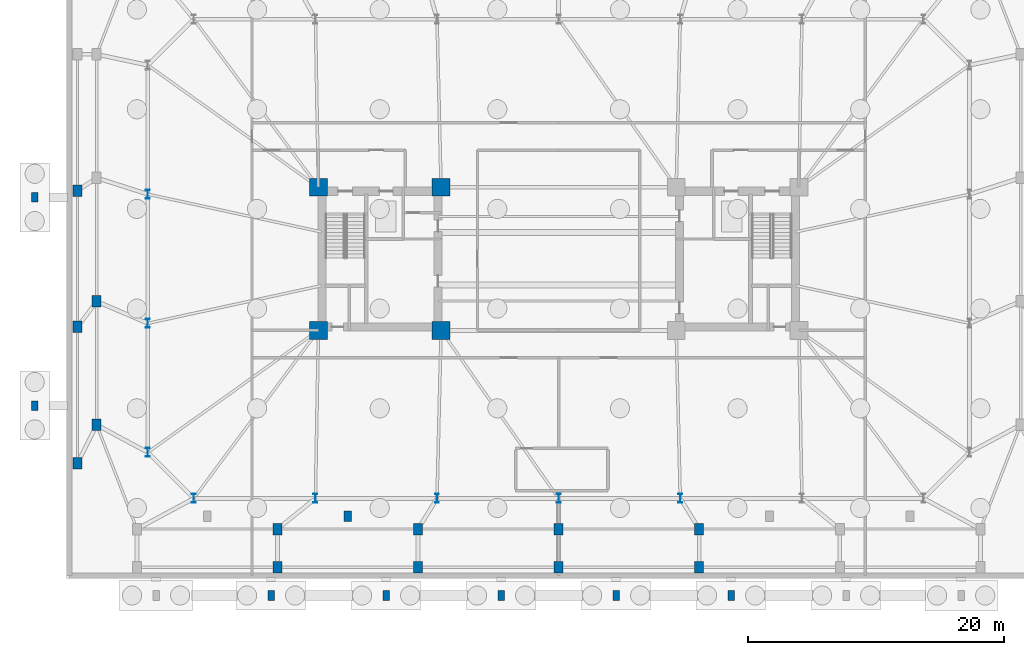
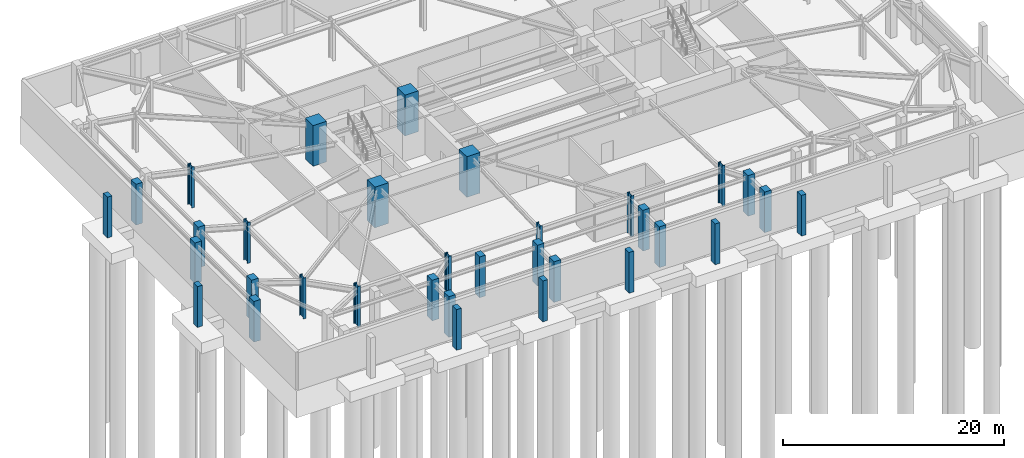
# One storey, part 2 of 15: 33 columns.
"""IFC4 building model written with IfcOpenShell, lengths in metres."""

from ifc_helpers import new_model, si_unit, direction, frame, origin, origin_2d, place, context, subcontext, project, spatial, rectangle, i_section, extrude, material, material_profile, profile_set, type_object, element, save


model = new_model("IFC4")

# Units and contexts
model_context = context("Model", 3, precision=1e-05, world=origin(), true_north=direction((0.0, 1.0)))
body_context = subcontext(model_context, "Body", "Model", "MODEL_VIEW")
ifc_project = project(units=[si_unit("LENGTHUNIT", "METRE"), si_unit("AREAUNIT", "SQUARE_METRE"), si_unit("VOLUMEUNIT", "CUBIC_METRE"), si_unit("PLANEANGLEUNIT", "RADIAN"), si_unit("MASSUNIT", "GRAM", prefix="KILO")], contexts=[model_context])

# Site, building, storey
site_placement = place(None, origin())
site = spatial("IfcSite", under=ifc_project, at=site_placement, CompositionType="ELEMENT")
building_placement = place(site_placement, origin())
building = spatial("IfcBuilding", under=site, at=building_placement, Name="Qobustan Lattice House", CompositionType="ELEMENT")
storey_placement = place(building_placement, frame((0.0, 0.0, -9.0)))
storey = spatial("IfcBuildingStorey", under=building, at=storey_placement, Name="B02", CompositionType="ELEMENT", Elevation=-9.0)

# Columns
ifc_material_1 = material(Name="Concrete C50/60", Category="concrete")
ifc_material_profile_1 = material_profile(ifc_material_1, rectangle(XDim=0.5, YDim=0.75, at=origin_2d()), Name="RC500x750")
ifc_profile_set_1 = profile_set([ifc_material_profile_1], Name="Concrete C50/60")
column_type_1 = type_object("IfcColumnType", Name="COL-PIER-500x750", PredefinedType="USERDEFINED", material=ifc_profile_set_1)
for number, where, z_axis, x_axis, name in (
    (1, (-41.0, -11.5, 0.0), (0.0, 0.0, 1.0), (1.0, 0.0, 0.0), "B02 arrival portico pier W1"),
    (2, (-41.0, 4.800048828125, 0.0), (0.0, 0.0, 1.0), (1.0, 0.0, 0.0), "B02 arrival portico pier W2"),
    (3, (-22.5, -26.35009765625, 0.0), (0.0, 0.0, 1.0), (1.0, 0.0, 0.0), "B02 entrance canopy pier PR-02"),
    (4, (-13.5, -26.35009765625, 0.0), (0.0, 0.0, 1.0), (1.0, 0.0, 0.0), "B02 entrance canopy pier PR-03"),
    (5, (-4.5, -26.35009765625, 0.0), (0.0, 0.0, 1.0), (1.0, 0.0, 0.0), "B02 entrance canopy pier PR-04"),
    (6, (4.5, -26.35009765625, 0.0), (0.0, 0.0, 1.0), (1.0, 0.0, 0.0), "B02 entrance canopy pier PR-05"),
    (7, (13.5, -26.35009765625, 0.0), (0.0, 0.0, 1.0), (1.0, 0.0, 0.0), "B02 entrance canopy pier PR-06"),
):
    element("IfcColumn", number, at=place(storey_placement, frame(where, z_axis=z_axis, x_axis=x_axis)), inside=storey, type_object=column_type_1, Name=name, ObjectType="PIER", PredefinedType="USERDEFINED", context=body_context, shape_type="SweptSolid", body=[
        extrude(rectangle(XDim=0.5, YDim=0.75, at=origin_2d()), origin(), (0.0, 0.0, 1.0), 4.5),
    ])
ifc_material_2 = material(Name="Concrete C50/60", Category="concrete")
ifc_material_profile_2 = material_profile(ifc_material_2, rectangle(XDim=0.60009765625, YDim=0.85009765625, at=origin_2d()), Name="RC600x850")
ifc_profile_set_2 = profile_set([ifc_material_profile_2], Name="Concrete C50/60")
column_type_2 = type_object("IfcColumnType", Name="COL-PIL-600x850", PredefinedType="PILASTER", material=ifc_profile_set_2)
column_placement = place(storey_placement, frame((-16.5, -20.14990234375, 0.0), z_axis=(0.0, 0.0, 1.0), x_axis=(1.0, 0.0, 0.0)))
element("IfcColumn", 8, at=column_placement, inside=storey, type_object=column_type_2, Name="B02 colonnade pilaster S2", PredefinedType="PILASTER", context=body_context, shape_type="SweptSolid", body=[
    extrude(rectangle(XDim=0.60009765625, YDim=0.85009765625, at=origin_2d()), origin(), (0.0, 0.0, 1.0), 4.5),
])
ifc_material_3 = material(Name="Concrete C60/75", Category="concrete")
ifc_material_profile_3 = material_profile(ifc_material_3, rectangle(XDim=1.39990234375, YDim=1.39990234375, at=origin_2d()), Name="RC1400x1400")
ifc_profile_set_3 = profile_set([ifc_material_profile_3], Name="Concrete C60/75")
column_type_3 = type_object("IfcColumnType", Name="COL-RC-1400", PredefinedType="COLUMN", material=ifc_profile_set_3)
for number, where, z_axis, x_axis, name in (
    (9, (-18.800048828125, -5.60009765625, 0.0), (0.0, 0.0, 1.0), (1.0, 0.0, 0.0), "B02 core mega-column CW-SW"),
    (10, (-18.800048828125, 5.60009765625, 0.0), (0.0, 0.0, 1.0), (1.0, 0.0, 0.0), "B02 core mega-column CW-NW"),
    (11, (-9.199951171875, -5.60009765625, 0.0), (0.0, 0.0, 1.0), (1.0, 0.0, 0.0), "B02 core mega-column CW-SE"),
    (12, (-9.199951171875, 5.60009765625, 0.0), (0.0, 0.0, 1.0), (1.0, 0.0, 0.0), "B02 core mega-column CW-NE"),
):
    element("IfcColumn", number, at=place(storey_placement, frame(where, z_axis=z_axis, x_axis=x_axis)), inside=storey, type_object=column_type_3, Name=name, PredefinedType="COLUMN", context=body_context, shape_type="SweptSolid", body=[
        extrude(rectangle(XDim=1.39990234375, YDim=1.39990234375, at=origin_2d()), origin(), (0.0, 0.0, 1.0), 4.5),
    ])
ifc_material_4 = material(Name="Concrete C50/60", Category="concrete")
ifc_material_profile_4 = material_profile(ifc_material_4, rectangle(XDim=0.699951171875, YDim=0.89990234375, at=origin_2d()), Name="RC700x900")
ifc_profile_set_4 = profile_set([ifc_material_profile_4], Name="Concrete C50/60")
column_type_4 = type_object("IfcColumnType", Name="COL-RC-700x900", PredefinedType="COLUMN", material=ifc_profile_set_4)
for number, where, z_axis, x_axis, name in (
    (13, (-22.0, -21.14990234375, 0.0), (0.0, 0.0, 1.0), (1.0, 0.0, 0.0), "B02 podium column PS2"),
    (14, (-11.0, -21.14990234375, 0.0), (0.0, 0.0, 1.0), (1.0, 0.0, 0.0), "B02 podium column PS3"),
    (15, (0.0, -21.14990234375, 0.0), (0.0, 0.0, 1.0), (1.0, 0.0, 0.0), "B02 podium column PS4"),
    (16, (11.0, -21.14990234375, 0.0), (0.0, 0.0, 1.0), (1.0, 0.0, 0.0), "B02 podium column PS5"),
    (17, (-36.14990234375, -13.0, 0.0), (0.0, 0.0, 1.0), (1.0, 0.0, 0.0), "B02 podium column PW1"),
    (18, (-36.14990234375, -3.333251953125, 0.0), (0.0, 0.0, 1.0), (1.0, 0.0, 0.0), "B02 podium column PW2"),
    (19, (-22.0, -24.14990234375, 0.0), (0.0, 0.0, 1.0), (1.0, 0.0, 0.0), "B02 lower podium perimeter column PSL2"),
    (20, (-11.0, -24.14990234375, 0.0), (0.0, 0.0, 1.0), (1.0, 0.0, 0.0), "B02 lower podium perimeter column PSL3"),
    (21, (0.0, -24.14990234375, 0.0), (0.0, 0.0, 1.0), (1.0, 0.0, 0.0), "B02 lower podium perimeter column PSL4"),
    (22, (11.0, -24.14990234375, 0.0), (0.0, 0.0, 1.0), (1.0, 0.0, 0.0), "B02 lower podium perimeter column PSL5"),
    (23, (-37.64990234375, -16.0, 0.0), (0.0, 0.0, 1.0), (1.0, 0.0, 0.0), "B02 lower podium perimeter column PWL1"),
    (24, (-37.64990234375, -5.333251953125, 0.0), (0.0, 0.0, 1.0), (1.0, 0.0, 0.0), "B02 lower podium perimeter column PWL2"),
    (25, (-37.64990234375, 5.33349609375, 0.0), (0.0, 0.0, 1.0), (1.0, 0.0, 0.0), "B02 lower podium perimeter column PWL3"),
):
    element("IfcColumn", number, at=place(storey_placement, frame(where, z_axis=z_axis, x_axis=x_axis)), inside=storey, type_object=column_type_4, Name=name, PredefinedType="COLUMN", context=body_context, shape_type="SweptSolid", body=[
        extrude(rectangle(XDim=0.699951171875, YDim=0.89990234375, at=origin_2d()), origin(), (0.0, 0.0, 1.0), 4.5),
    ])
ifc_material_5 = material(Name="Steel S460", Category="steel")
ifc_material_profile_5 = material_profile(ifc_material_5, i_section(OverallWidth=0.303955078125, OverallDepth=0.716064453125, WebThickness=0.02099609375, FlangeThickness=0.0400390625, FilletRadius=0.027099609375, at=origin_2d()), Name="HEM700")
ifc_profile_set_5 = profile_set([ifc_material_profile_5], Name="Steel S460")
column_type_5 = type_object("IfcColumnType", Name="COL-ST-HEM700", PredefinedType="COLUMN", material=ifc_profile_set_5)
for number, where, z_axis, x_axis, name in (
    (26, (-28.550048828125, -18.75, 0.0), (0.0, 0.0, 1.0), (1.0, 0.0, 0.0), "B02 tower base column S1"),
    (27, (-19.033203125, -18.75, 0.0), (0.0, 0.0, 1.0), (1.0, 0.0, 0.0), "B02 tower base column S2"),
    (28, (-9.5166015625, -18.75, 0.0), (0.0, 0.0, 1.0), (1.0, 0.0, 0.0), "B02 tower base column S3"),
    (29, (0.0, -18.75, 0.0), (0.0, 0.0, 1.0), (1.0, 0.0, 0.0), "B02 tower base column S4"),
    (30, (9.5166015625, -18.75, 0.0), (0.0, 0.0, 1.0), (1.0, 0.0, 0.0), "B02 tower base column S5"),
    (31, (-32.14990234375, 5.050048828125, 0.0), (0.0, 0.0, 1.0), (1.0, 0.0, 0.0), "B02 tower base column W2"),
    (32, (-32.14990234375, -5.050048828125, 0.0), (0.0, 0.0, 1.0), (1.0, 0.0, 0.0), "B02 tower base column W3"),
    (33, (-32.14990234375, -15.14990234375, 0.0), (0.0, 0.0, 1.0), (1.0, 0.0, 0.0), "B02 tower base column W4"),
):
    element("IfcColumn", number, at=place(storey_placement, frame(where, z_axis=z_axis, x_axis=x_axis)), inside=storey, type_object=column_type_5, Name=name, PredefinedType="COLUMN", context=body_context, shape_type="SweptSolid", body=[
        extrude(i_section(OverallWidth=0.303955078125, OverallDepth=0.716064453125, WebThickness=0.02099609375, FlangeThickness=0.0400390625, FilletRadius=0.027099609375, at=origin_2d()), origin(), (0.0, 0.0, 1.0), 4.5),
    ])

save(model, "model.ifc")
